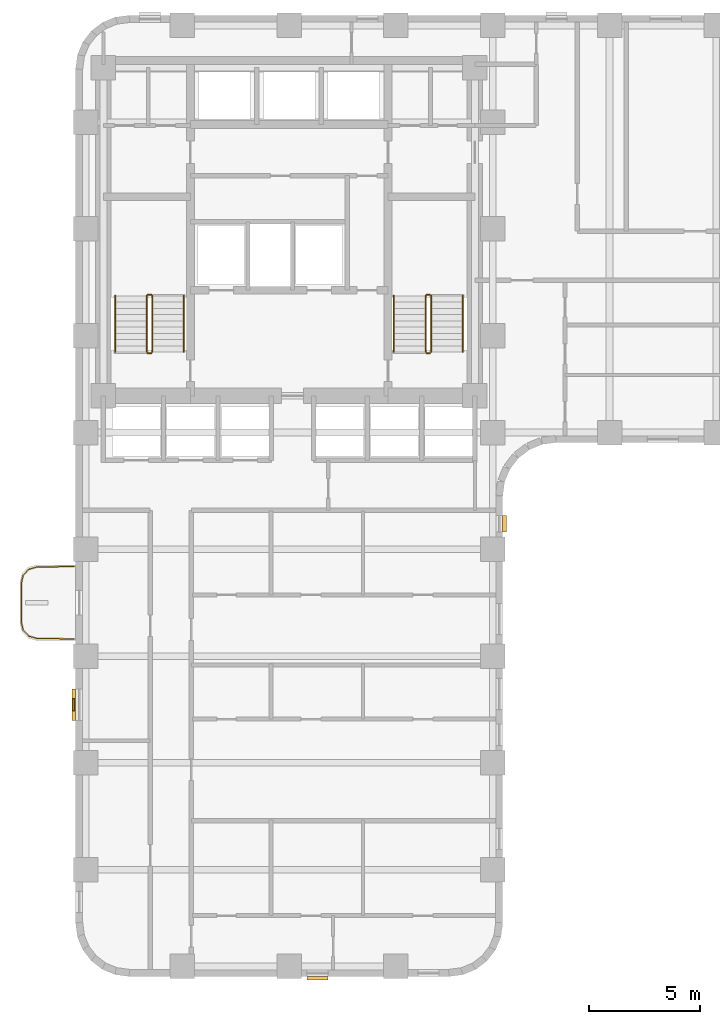
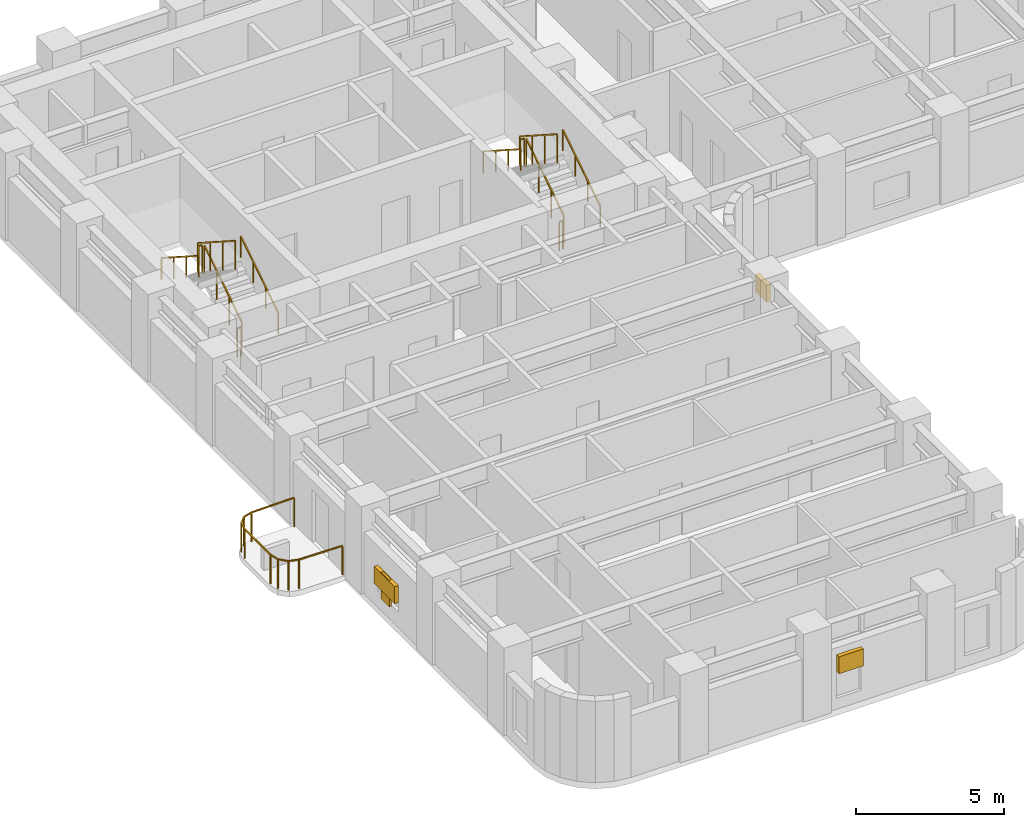
# One storey, part 8 of 10: 13 railings, 4 shading devices.
"""IFC4 building model written with IfcOpenShell, lengths in metres."""

from ifc_helpers import new_model, si_unit, direction, frame, origin, origin_2d, place, context, subcontext, project, spatial, rectangle, extrude, material, type_object, element, save


model = new_model("IFC4")

# Units and contexts
model_context = context("Model", 3, precision=1e-05, world=origin(), true_north=direction((0.0, 1.0)))
body_context = subcontext(model_context, "Body", "Model", "MODEL_VIEW")
ifc_project = project(units=[si_unit("LENGTHUNIT", "METRE"), si_unit("AREAUNIT", "SQUARE_METRE"), si_unit("VOLUMEUNIT", "CUBIC_METRE"), si_unit("PLANEANGLEUNIT", "RADIAN"), si_unit("MASSUNIT", "GRAM", prefix="KILO")], contexts=[model_context])

# Site, building, storey
site_placement = place(None, origin())
site = spatial("IfcSite", under=ifc_project, at=site_placement, CompositionType="ELEMENT")
building_placement = place(site_placement, origin())
building = spatial("IfcBuilding", under=site, at=building_placement, Name="Orvandelia Arch Residences", CompositionType="ELEMENT")
storey_placement = place(building_placement, frame((0.0, 0.0, 75.39990234375)))
storey = spatial("IfcBuildingStorey", under=building, at=storey_placement, Name="L19", CompositionType="ELEMENT", Elevation=75.39990234375)

# Railings
ifc_material_1 = material(Name="Marine-Grade Stainless Steel 316", Category="steel")
railing_type_1 = type_object("IfcRailingType", Name="GRD-BAL-1200", PredefinedType="BALUSTRADE", material=ifc_material_1)
railing_1_placement = place(storey_placement, frame((4.728271484375, 23.23046875, 0.0)))
element("IfcRailing", 1, at=railing_1_placement, inside=storey, type_object=railing_type_1, Name="Safety Balustrade Guard GRD-L19-BAL-L19-W1-1", PredefinedType="BALUSTRADE", context=body_context, shape_type="SweptSolid", body=[
    extrude(rectangle(XDim=0.048095703125, YDim=0.048095703125, at=origin_2d()), frame((0.0, 0.0, 1.19580078125), z_axis=(-0.999834751713, -0.018178813668, 0.0), x_axis=(0.018178813668, -0.999834751713, 0.0)), (0.0, 0.0, 1.0), 1.6787109375),
    extrude(rectangle(XDim=0.048095703125, YDim=0.048095703125, at=origin_2d()), frame((-1.678466796875, -0.030517578125, 1.19580078125), z_axis=(-0.96348920644, -0.267747173792, 0.0), x_axis=(0.267747173792, -0.96348920644, 0.0)), (0.0, 0.0, 1.0), 0.36572265625),
    extrude(rectangle(XDim=0.048095703125, YDim=0.048095703125, at=origin_2d()), frame((-2.03076171875, -0.12841796875, 1.19580078125), z_axis=(-0.688627404251, -0.725115368831, 0.0), x_axis=(0.725115368831, -0.688627404251, 0.0)), (0.0, 0.0, 1.0), 0.367919921875),
    extrude(rectangle(XDim=0.048095703125, YDim=0.048095703125, at=origin_2d()), frame((-2.2841796875, -0.395263671875, 1.19580078125), z_axis=(-0.220461657419, -0.975395641577, 0.0), x_axis=(0.975395641577, -0.220461657419, 0.0)), (0.0, 0.0, 1.0), 0.373291015625),
    extrude(rectangle(XDim=0.048095703125, YDim=0.048095703125, at=origin_2d()), frame((-2.366455078125, -0.75927734375, 1.19580078125), z_axis=(0.0, -1.0, 0.0), x_axis=(1.0, 0.0, 0.0)), (0.0, 0.0, 1.0), 1.742431640625),
    extrude(rectangle(XDim=0.048095703125, YDim=0.048095703125, at=origin_2d()), frame((-2.366455078125, -2.501708984375, 1.19580078125), z_axis=(0.220602419982, -0.975363815352, 0.0), x_axis=(0.975363815352, 0.220602419982, 0.0)), (0.0, 0.0, 1.0), 0.373046875),
    extrude(rectangle(XDim=0.048095703125, YDim=0.048095703125, at=origin_2d()), frame((-2.2841796875, -2.865478515625, 1.19580078125), z_axis=(0.688296224633, -0.725429739642, 0.0), x_axis=(0.725429739642, 0.688296224633, 0.0)), (0.0, 0.0, 1.0), 0.3681640625),
    extrude(rectangle(XDim=0.048095703125, YDim=0.048095703125, at=origin_2d()), frame((-2.03076171875, -3.132568359375, 1.19580078125), z_axis=(0.96348920644, -0.267747173792, 0.0), x_axis=(0.267747173792, 0.96348920644, 0.0)), (0.0, 0.0, 1.0), 0.36572265625),
    extrude(rectangle(XDim=0.048095703125, YDim=0.048095703125, at=origin_2d()), frame((-1.678466796875, -3.23046875, 1.19580078125), z_axis=(0.999834751713, -0.018178813668, 0.0), x_axis=(0.018178813668, 0.999834751713, 0.0)), (0.0, 0.0, 1.0), 1.6787109375),
    extrude(rectangle(XDim=0.0419921875, YDim=0.0419921875, at=origin_2d()), origin(), (0.0, 0.0, 1.0), 1.171875),
    extrude(rectangle(XDim=0.0419921875, YDim=0.0419921875, at=origin_2d()), frame((-1.678466796875, -0.030517578125, 0.0)), (0.0, 0.0, 1.0), 1.171875),
    extrude(rectangle(XDim=0.0419921875, YDim=0.0419921875, at=origin_2d()), frame((-2.03076171875, -0.12841796875, 0.0)), (0.0, 0.0, 1.0), 1.171875),
    extrude(rectangle(XDim=0.0419921875, YDim=0.0419921875, at=origin_2d()), frame((-2.2841796875, -0.395263671875, 0.0)), (0.0, 0.0, 1.0), 1.171875),
    extrude(rectangle(XDim=0.0419921875, YDim=0.0419921875, at=origin_2d()), frame((-2.366455078125, -0.75927734375, 0.0)), (0.0, 0.0, 1.0), 1.171875),
    extrude(rectangle(XDim=0.0419921875, YDim=0.0419921875, at=origin_2d()), frame((-2.366455078125, -2.501708984375, 0.0)), (0.0, 0.0, 1.0), 1.171875),
    extrude(rectangle(XDim=0.0419921875, YDim=0.0419921875, at=origin_2d()), frame((-2.2841796875, -2.865478515625, 0.0)), (0.0, 0.0, 1.0), 1.171875),
    extrude(rectangle(XDim=0.0419921875, YDim=0.0419921875, at=origin_2d()), frame((-2.03076171875, -3.132568359375, 0.0)), (0.0, 0.0, 1.0), 1.171875),
    extrude(rectangle(XDim=0.0419921875, YDim=0.0419921875, at=origin_2d()), frame((-1.678466796875, -3.23046875, 0.0)), (0.0, 0.0, 1.0), 1.171875),
    extrude(rectangle(XDim=0.0419921875, YDim=0.0419921875, at=origin_2d()), frame((0.0, -3.260986328125, 0.0)), (0.0, 0.0, 1.0), 1.171875),
])
ifc_material_2 = material(Name="Brushed Stainless Steel 304", Category="steel")
railing_type_2 = type_object("IfcRailingType", Name="RL-STAIR-GD1120", PredefinedType="GUARDRAIL", material=ifc_material_2)
railing_2_placement = place(storey_placement, frame((8.25, 32.8701171875, 0.18017578125)))
element("IfcRailing", 2, at=railing_2_placement, inside=storey, type_object=railing_type_2, Name="L19 ST-1 stair guard 1", PredefinedType="GUARDRAIL", context=body_context, shape_type="SweptSolid", body=[
    extrude(rectangle(XDim=0.048095703125, YDim=0.048095703125, at=origin_2d()), frame((0.0, 0.0, 1.17578125), z_axis=(0.0, 0.841175827307, 0.540761710511), x_axis=(-1.0, 0.0, 0.0)), (0.0, 0.0, 1.0), 2.99560546875),
    extrude(rectangle(XDim=0.0419921875, YDim=0.0419921875, at=origin_2d()), origin(), (0.0, 0.0, 1.0), 1.15185546875),
    extrude(rectangle(XDim=0.0419921875, YDim=0.0419921875, at=origin_2d()), frame((0.0, 0.83984375, 0.5400390625)), (0.0, 0.0, 1.0), 1.15185546875),
    extrude(rectangle(XDim=0.0419921875, YDim=0.0419921875, at=origin_2d()), frame((0.0, 1.679931640625, 1.079833984375)), (0.0, 0.0, 1.0), 1.15185546875),
    extrude(rectangle(XDim=0.0419921875, YDim=0.0419921875, at=origin_2d()), frame((0.0, 2.519775390625, 1.619873046875)), (0.0, 0.0, 1.0), 1.15185546875),
])
railing_3_placement = place(storey_placement, frame((8.199951171875, 35.43994140625, 1.800048828125)))
element("IfcRailing", 3, at=railing_3_placement, inside=storey, type_object=railing_type_2, Name="L19 ST-1 stair guard 2", PredefinedType="GUARDRAIL", context=body_context, shape_type="SweptSolid", body=[
    extrude(rectangle(XDim=0.048095703125, YDim=0.048095703125, at=origin_2d()), frame((0.0, 0.0, 1.17578125), z_axis=(-1.0, 0.0, 0.0), x_axis=(0.0, -1.0, 0.0)), (0.0, 0.0, 1.0), 0.14990234375),
    extrude(rectangle(XDim=0.0419921875, YDim=0.0419921875, at=origin_2d()), origin(), (0.0, 0.0, 1.0), 1.15185546875),
    extrude(rectangle(XDim=0.0419921875, YDim=0.0419921875, at=origin_2d()), frame((-0.14990234375, 0.0, 0.0)), (0.0, 0.0, 1.0), 1.15185546875),
])
railing_4_placement = place(storey_placement, frame((8.0, 35.389892578125, 1.97998046875)))
element("IfcRailing", 4, at=railing_4_placement, inside=storey, type_object=railing_type_2, Name="L19 ST-1 stair guard 3", PredefinedType="GUARDRAIL", context=body_context, shape_type="SweptSolid", body=[
    extrude(rectangle(XDim=0.048095703125, YDim=0.048095703125, at=origin_2d()), frame((0.0, 0.0, 1.17578125), z_axis=(0.0, -0.841138753965, 0.540819375188), x_axis=(1.0, 0.0, 0.0)), (0.0, 0.0, 1.0), 2.99560546875),
    extrude(rectangle(XDim=0.0419921875, YDim=0.0419921875, at=origin_2d()), origin(), (0.0, 0.0, 1.0), 1.15185546875),
    extrude(rectangle(XDim=0.0419921875, YDim=0.0419921875, at=origin_2d()), frame((0.0, -0.83984375, 0.5400390625)), (0.0, 0.0, 1.0), 1.15185546875),
    extrude(rectangle(XDim=0.0419921875, YDim=0.0419921875, at=origin_2d()), frame((0.0, -1.679931640625, 1.080078125)), (0.0, 0.0, 1.0), 1.15185546875),
    extrude(rectangle(XDim=0.0419921875, YDim=0.0419921875, at=origin_2d()), frame((0.0, -2.519775390625, 1.6201171875)), (0.0, 0.0, 1.0), 1.15185546875),
])
railing_5_placement = place(storey_placement, frame((8.199951171875, 32.820068359375, 0.0)))
element("IfcRailing", 5, at=railing_5_placement, inside=storey, type_object=railing_type_2, Name="L19 ST-1 stair guard 4", PredefinedType="GUARDRAIL", context=body_context, shape_type="SweptSolid", body=[
    extrude(rectangle(XDim=0.048095703125, YDim=0.048095703125, at=origin_2d()), frame((0.0, 0.0, 1.17578125), z_axis=(-1.0, 0.0, 0.0), x_axis=(0.0, -1.0, 0.0)), (0.0, 0.0, 1.0), 0.14990234375),
    extrude(rectangle(XDim=0.0419921875, YDim=0.0419921875, at=origin_2d()), origin(), (0.0, 0.0, 1.0), 1.15185546875),
    extrude(rectangle(XDim=0.0419921875, YDim=0.0419921875, at=origin_2d()), frame((-0.14990234375, 0.0, 0.0)), (0.0, 0.0, 1.0), 1.15185546875),
])
railing_6_placement = place(storey_placement, frame((20.780029296875, 32.8701171875, 0.18017578125)))
element("IfcRailing", 6, at=railing_6_placement, inside=storey, type_object=railing_type_2, Name="L19 ST-2 stair guard 1", PredefinedType="GUARDRAIL", context=body_context, shape_type="SweptSolid", body=[
    extrude(rectangle(XDim=0.048095703125, YDim=0.048095703125, at=origin_2d()), frame((0.0, 0.0, 1.17578125), z_axis=(0.0, 0.841175827307, 0.540761710511), x_axis=(-1.0, 0.0, 0.0)), (0.0, 0.0, 1.0), 2.99560546875),
    extrude(rectangle(XDim=0.0419921875, YDim=0.0419921875, at=origin_2d()), origin(), (0.0, 0.0, 1.0), 1.15185546875),
    extrude(rectangle(XDim=0.0419921875, YDim=0.0419921875, at=origin_2d()), frame((0.0, 0.83984375, 0.5400390625)), (0.0, 0.0, 1.0), 1.15185546875),
    extrude(rectangle(XDim=0.0419921875, YDim=0.0419921875, at=origin_2d()), frame((0.0, 1.679931640625, 1.079833984375)), (0.0, 0.0, 1.0), 1.15185546875),
    extrude(rectangle(XDim=0.0419921875, YDim=0.0419921875, at=origin_2d()), frame((0.0, 2.519775390625, 1.619873046875)), (0.0, 0.0, 1.0), 1.15185546875),
])
railing_7_placement = place(storey_placement, frame((20.72998046875, 35.43994140625, 1.800048828125)))
element("IfcRailing", 7, at=railing_7_placement, inside=storey, type_object=railing_type_2, Name="L19 ST-2 stair guard 2", PredefinedType="GUARDRAIL", context=body_context, shape_type="SweptSolid", body=[
    extrude(rectangle(XDim=0.048095703125, YDim=0.048095703125, at=origin_2d()), frame((0.0, 0.0, 1.17578125), z_axis=(-1.0, 0.0, 0.0), x_axis=(0.0, -1.0, 0.0)), (0.0, 0.0, 1.0), 0.14990234375),
    extrude(rectangle(XDim=0.0419921875, YDim=0.0419921875, at=origin_2d()), origin(), (0.0, 0.0, 1.0), 1.15185546875),
    extrude(rectangle(XDim=0.0419921875, YDim=0.0419921875, at=origin_2d()), frame((-0.14990234375, 0.0, 0.0)), (0.0, 0.0, 1.0), 1.15185546875),
])
railing_8_placement = place(storey_placement, frame((20.530029296875, 35.389892578125, 1.97998046875)))
element("IfcRailing", 8, at=railing_8_placement, inside=storey, type_object=railing_type_2, Name="L19 ST-2 stair guard 3", PredefinedType="GUARDRAIL", context=body_context, shape_type="SweptSolid", body=[
    extrude(rectangle(XDim=0.048095703125, YDim=0.048095703125, at=origin_2d()), frame((0.0, 0.0, 1.17578125), z_axis=(0.0, -0.841138753965, 0.540819375188), x_axis=(1.0, 0.0, 0.0)), (0.0, 0.0, 1.0), 2.99560546875),
    extrude(rectangle(XDim=0.0419921875, YDim=0.0419921875, at=origin_2d()), origin(), (0.0, 0.0, 1.0), 1.15185546875),
    extrude(rectangle(XDim=0.0419921875, YDim=0.0419921875, at=origin_2d()), frame((0.0, -0.83984375, 0.5400390625)), (0.0, 0.0, 1.0), 1.15185546875),
    extrude(rectangle(XDim=0.0419921875, YDim=0.0419921875, at=origin_2d()), frame((0.0, -1.679931640625, 1.080078125)), (0.0, 0.0, 1.0), 1.15185546875),
    extrude(rectangle(XDim=0.0419921875, YDim=0.0419921875, at=origin_2d()), frame((0.0, -2.519775390625, 1.6201171875)), (0.0, 0.0, 1.0), 1.15185546875),
])
railing_9_placement = place(storey_placement, frame((20.72998046875, 32.820068359375, 0.0)))
element("IfcRailing", 9, at=railing_9_placement, inside=storey, type_object=railing_type_2, Name="L19 ST-2 stair guard 4", PredefinedType="GUARDRAIL", context=body_context, shape_type="SweptSolid", body=[
    extrude(rectangle(XDim=0.048095703125, YDim=0.048095703125, at=origin_2d()), frame((0.0, 0.0, 1.17578125), z_axis=(-1.0, 0.0, 0.0), x_axis=(0.0, -1.0, 0.0)), (0.0, 0.0, 1.0), 0.14990234375),
    extrude(rectangle(XDim=0.0419921875, YDim=0.0419921875, at=origin_2d()), origin(), (0.0, 0.0, 1.0), 1.15185546875),
    extrude(rectangle(XDim=0.0419921875, YDim=0.0419921875, at=origin_2d()), frame((-0.14990234375, 0.0, 0.0)), (0.0, 0.0, 1.0), 1.15185546875),
])
railing_type_3 = type_object("IfcRailingType", Name="RL-STAIR-HR920", PredefinedType="HANDRAIL", material=ifc_material_2)
railing_10_placement = place(storey_placement, frame((9.669921875, 32.8701171875, 0.360107421875)))
element("IfcRailing", 10, at=railing_10_placement, inside=storey, type_object=railing_type_3, Name="L19 ST-1 stair handrail 1", PredefinedType="HANDRAIL", context=body_context, shape_type="SweptSolid", body=[
    extrude(rectangle(XDim=0.048095703125, YDim=0.048095703125, at=origin_2d()), frame((0.0, 0.0, 0.8759765625), z_axis=(0.0, 0.841175827307, 0.540761710511), x_axis=(-1.0, 0.0, 0.0)), (0.0, 0.0, 1.0), 2.99560546875),
    extrude(rectangle(XDim=0.0419921875, YDim=0.0419921875, at=origin_2d()), origin(), (0.0, 0.0, 1.0), 0.851806640625),
    extrude(rectangle(XDim=0.0419921875, YDim=0.0419921875, at=origin_2d()), frame((0.0, 0.83984375, 0.5400390625)), (0.0, 0.0, 1.0), 0.851806640625),
    extrude(rectangle(XDim=0.0419921875, YDim=0.0419921875, at=origin_2d()), frame((0.0, 1.679931640625, 1.079833984375)), (0.0, 0.0, 1.0), 0.851806640625),
    extrude(rectangle(XDim=0.0419921875, YDim=0.0419921875, at=origin_2d()), frame((0.0, 2.519775390625, 1.619873046875)), (0.0, 0.0, 1.0), 0.851806640625),
])
railing_11_placement = place(storey_placement, frame((6.580078125, 35.389892578125, 2.16015625)))
element("IfcRailing", 11, at=railing_11_placement, inside=storey, type_object=railing_type_3, Name="L19 ST-1 stair handrail 2", PredefinedType="HANDRAIL", context=body_context, shape_type="SweptSolid", body=[
    extrude(rectangle(XDim=0.048095703125, YDim=0.048095703125, at=origin_2d()), frame((0.0, 0.0, 0.8759765625), z_axis=(0.0, -0.841175827307, 0.540761710511), x_axis=(1.0, 0.0, 0.0)), (0.0, 0.0, 1.0), 2.99560546875),
    extrude(rectangle(XDim=0.0419921875, YDim=0.0419921875, at=origin_2d()), origin(), (0.0, 0.0, 1.0), 0.851806640625),
    extrude(rectangle(XDim=0.0419921875, YDim=0.0419921875, at=origin_2d()), frame((0.0, -0.83984375, 0.5400390625)), (0.0, 0.0, 1.0), 0.851806640625),
    extrude(rectangle(XDim=0.0419921875, YDim=0.0419921875, at=origin_2d()), frame((0.0, -1.679931640625, 1.079833984375)), (0.0, 0.0, 1.0), 0.851806640625),
    extrude(rectangle(XDim=0.0419921875, YDim=0.0419921875, at=origin_2d()), frame((0.0, -2.519775390625, 1.619873046875)), (0.0, 0.0, 1.0), 0.851806640625),
])
railing_12_placement = place(storey_placement, frame((22.199951171875, 32.8701171875, 0.360107421875)))
element("IfcRailing", 12, at=railing_12_placement, inside=storey, type_object=railing_type_3, Name="L19 ST-2 stair handrail 1", PredefinedType="HANDRAIL", context=body_context, shape_type="SweptSolid", body=[
    extrude(rectangle(XDim=0.048095703125, YDim=0.048095703125, at=origin_2d()), frame((0.0, 0.0, 0.8759765625), z_axis=(0.0, 0.841175827307, 0.540761710511), x_axis=(-1.0, 0.0, 0.0)), (0.0, 0.0, 1.0), 2.99560546875),
    extrude(rectangle(XDim=0.0419921875, YDim=0.0419921875, at=origin_2d()), origin(), (0.0, 0.0, 1.0), 0.851806640625),
    extrude(rectangle(XDim=0.0419921875, YDim=0.0419921875, at=origin_2d()), frame((0.0, 0.83984375, 0.5400390625)), (0.0, 0.0, 1.0), 0.851806640625),
    extrude(rectangle(XDim=0.0419921875, YDim=0.0419921875, at=origin_2d()), frame((0.0, 1.679931640625, 1.079833984375)), (0.0, 0.0, 1.0), 0.851806640625),
    extrude(rectangle(XDim=0.0419921875, YDim=0.0419921875, at=origin_2d()), frame((0.0, 2.519775390625, 1.619873046875)), (0.0, 0.0, 1.0), 0.851806640625),
])
railing_13_placement = place(storey_placement, frame((19.110107421875, 35.389892578125, 2.16015625)))
element("IfcRailing", 13, at=railing_13_placement, inside=storey, type_object=railing_type_3, Name="L19 ST-2 stair handrail 2", PredefinedType="HANDRAIL", context=body_context, shape_type="SweptSolid", body=[
    extrude(rectangle(XDim=0.048095703125, YDim=0.048095703125, at=origin_2d()), frame((0.0, 0.0, 0.8759765625), z_axis=(0.0, -0.841175827307, 0.540761710511), x_axis=(1.0, 0.0, 0.0)), (0.0, 0.0, 1.0), 2.99560546875),
    extrude(rectangle(XDim=0.0419921875, YDim=0.0419921875, at=origin_2d()), origin(), (0.0, 0.0, 1.0), 0.851806640625),
    extrude(rectangle(XDim=0.0419921875, YDim=0.0419921875, at=origin_2d()), frame((0.0, -0.83984375, 0.5400390625)), (0.0, 0.0, 1.0), 0.851806640625),
    extrude(rectangle(XDim=0.0419921875, YDim=0.0419921875, at=origin_2d()), frame((0.0, -1.679931640625, 1.079833984375)), (0.0, 0.0, 1.0), 0.851806640625),
    extrude(rectangle(XDim=0.0419921875, YDim=0.0419921875, at=origin_2d()), frame((0.0, -2.519775390625, 1.619873046875)), (0.0, 0.0, 1.0), 0.851806640625),
])

# Shading devices
ifc_material_3 = material(Name="Anodised Champagne-Bronze Extruded Aluminium", Category="aluminium")
shading_device_type_1 = type_object("IfcShadingDeviceType", Name="SHD-JALOUSIE-SCREEN", PredefinedType="JALOUSIE", material=ifc_material_3)
shading_device_1_placement = place(storey_placement, frame((24.080078125, 25.14501953125, 1.55029296875), z_axis=(0.0, 0.0, 1.0), x_axis=(0.0, -1.0, 0.0)))
element("IfcShadingDevice", 14, at=shading_device_1_placement, inside=storey, type_object=shading_device_type_1, Name="Bronze Jalousie Sun-Shade L19-007", PredefinedType="JALOUSIE", context=body_context, shape_type="SweptSolid", body=[
    extrude(rectangle(XDim=0.75, YDim=0.159912109375, at=origin_2d()), origin(), (0.0, 0.0, 1.0), 0.699951171875),
])
shading_device_2_placement = place(storey_placement, frame((15.674560546875, 4.719970703125, 1.55029296875), z_axis=(0.0, 0.0, 1.0), x_axis=(-1.0, 0.0, 0.0)))
element("IfcShadingDevice", 15, at=shading_device_2_placement, inside=storey, type_object=shading_device_type_1, Name="Bronze Jalousie Sun-Shade L19-008", PredefinedType="JALOUSIE", context=body_context, shape_type="SweptSolid", body=[
    extrude(rectangle(XDim=0.949951171875, YDim=0.159912109375, at=origin_2d()), origin(), (0.0, 0.0, 1.0), 0.699951171875),
])
shading_device_3_placement = place(storey_placement, frame((4.719970703125, 17.014892578125, 1.05029296875), z_axis=(0.0, 0.0, 1.0), x_axis=(0.0, 1.0, 0.0)))
element("IfcShadingDevice", 16, at=shading_device_3_placement, inside=storey, type_object=shading_device_type_1, Name="Bronze Jalousie Sun-Shade L19-009", PredefinedType="JALOUSIE", context=body_context, shape_type="SweptSolid", body=[
    extrude(rectangle(XDim=1.39990234375, YDim=0.159912109375, at=origin_2d()), origin(), (0.0, 0.0, 1.0), 0.699951171875),
])
ifc_material_4 = material(Name="Marine-Grade Perforated Aluminium Storm Shutter", Category="aluminium")
shading_device_type_2 = type_object("IfcShadingDeviceType", Name="SHD-STORM-SHUTTER", PredefinedType="SHUTTER", material=ifc_material_4)
shading_device_4_placement = place(storey_placement, frame((4.719970703125, 17.014892578125, 0.650146484375), z_axis=(0.0, 0.0, 1.0), x_axis=(0.0, 1.0, 0.0)))
element("IfcShadingDevice", 17, at=shading_device_4_placement, inside=storey, type_object=shading_device_type_2, Name="Operable Typhoon Storm Shutter L19-009", PredefinedType="SHUTTER", context=body_context, shape_type="SweptSolid", body=[
    extrude(rectangle(XDim=0.550048828125, YDim=0.080078125, at=origin_2d()), origin(), (0.0, 0.0, 1.0), 1.10009765625),
])

save(model, "model.ifc")
